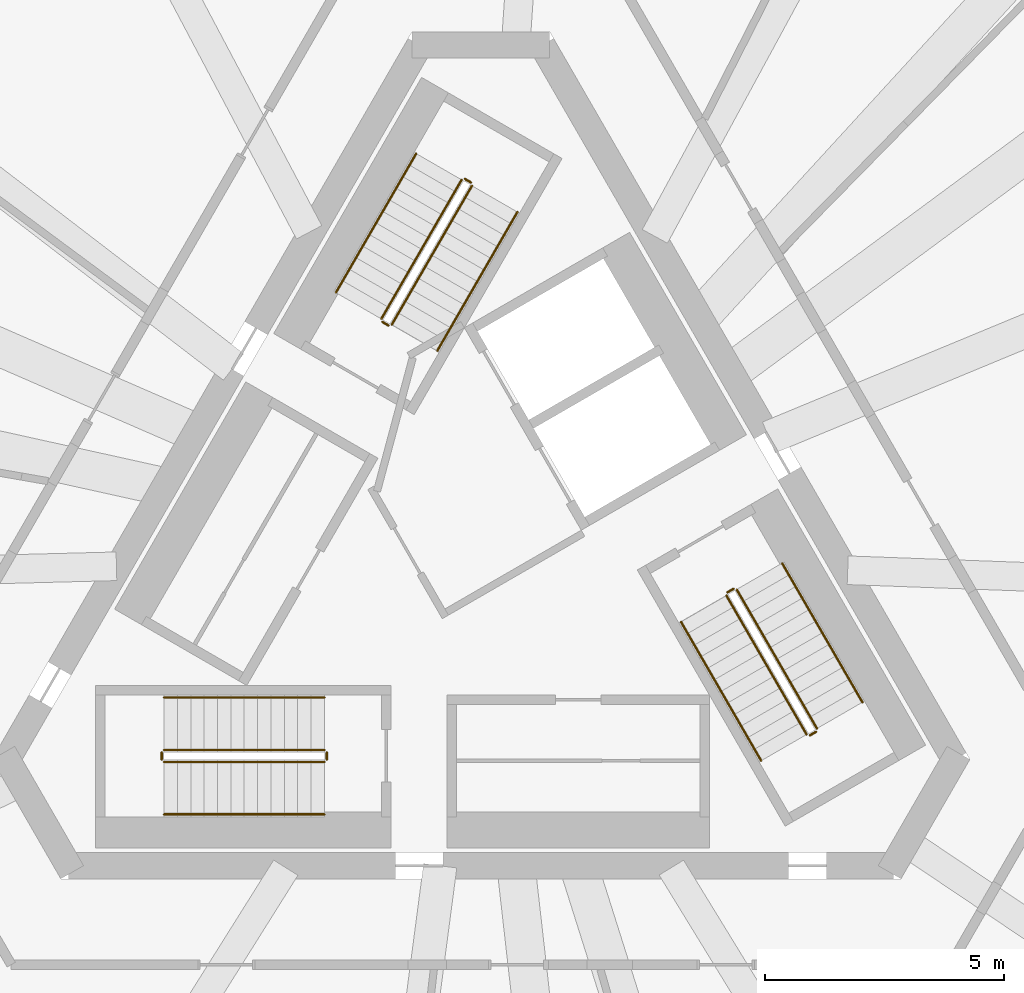
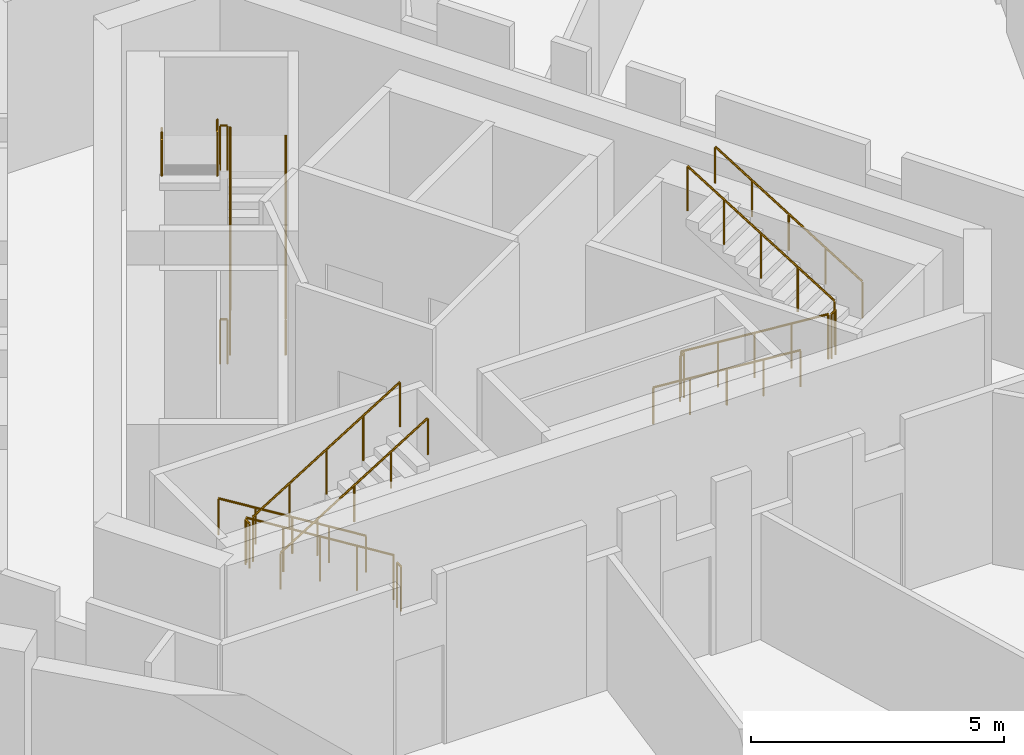
# One storey, part 5 of 5: 18 railings.
"""IFC4 building model written with IfcOpenShell, lengths in metres."""

from ifc_helpers import new_model, si_unit, direction, frame, origin, origin_2d, place, context, subcontext, project, spatial, circle, extrude, material, type_object, element, save


model = new_model("IFC4")

# Units and contexts
model_context = context("Model", 3, precision=1e-05, world=origin(), true_north=direction((0.0, 1.0)))
body_context = subcontext(model_context, "Body", "Model", "MODEL_VIEW")
ifc_project = project(units=[si_unit("LENGTHUNIT", "METRE"), si_unit("AREAUNIT", "SQUARE_METRE"), si_unit("VOLUMEUNIT", "CUBIC_METRE"), si_unit("PLANEANGLEUNIT", "RADIAN"), si_unit("MASSUNIT", "GRAM", prefix="KILO")], contexts=[model_context])

# Site, building, storey
site_placement = place(None, origin())
site = spatial("IfcSite", under=ifc_project, at=site_placement, CompositionType="ELEMENT")
building_placement = place(site_placement, origin())
building = spatial("IfcBuilding", under=site, at=building_placement, Name="Tramontana Tower", CompositionType="ELEMENT")
storey_placement = place(building_placement, frame((0.0, 0.0, 370.39990234375)))
storey = spatial("IfcBuildingStorey", under=building, at=storey_placement, Name="L85", CompositionType="ELEMENT", Elevation=370.39990234375)

# Railings
ifc_material_1 = material(Name="Painted steel", Category="steel")
railing_type_1 = type_object("IfcRailingType", Name="STAIR GUARD 1100", PredefinedType="GUARDRAIL", material=ifc_material_1)
railing_1_placement = place(storey_placement, frame((-1.867431640625, 4.865478515625, 0.173095703125)))
element("IfcRailing", 1, at=railing_1_placement, inside=storey, type_object=railing_type_1, Name="L85 ST1 stair guard 1", PredefinedType="GUARDRAIL", context=body_context, shape_type="SweptSolid", body=[
    extrude(circle(Radius=0.02392578125, at=origin_2d()), frame((0.0, 0.0, 1.076171875), z_axis=(0.425288379326, 0.736667954249, 0.525785240943), x_axis=(-0.866039179741, 0.499976138585, 0.0)), (0.0, 0.0, 1.0), 3.9501953125),
    extrude(circle(Radius=0.02099609375, at=origin_2d()), origin(), (0.0, 0.0, 1.0), 1.052001953125),
    extrude(circle(Radius=0.02099609375, at=origin_2d()), frame((0.419921875, 0.7275390625, 0.519287109375)), (0.0, 0.0, 1.0), 1.052001953125),
    extrude(circle(Radius=0.02099609375, at=origin_2d()), frame((0.83984375, 1.455078125, 1.03857421875)), (0.0, 0.0, 1.0), 1.052001953125),
    extrude(circle(Radius=0.02099609375, at=origin_2d()), frame((1.260009765625, 2.182373046875, 1.5576171875)), (0.0, 0.0, 1.0), 1.052001953125),
    extrude(circle(Radius=0.02099609375, at=origin_2d()), frame((1.679931640625, 2.909912109375, 2.076904296875)), (0.0, 0.0, 1.0), 1.052001953125),
])
railing_2_placement = place(storey_placement, frame((-0.40380859375, 7.900390625, 2.423095703125)))
element("IfcRailing", 2, at=railing_2_placement, inside=storey, type_object=railing_type_1, Name="L85 ST1 stair guard 2", PredefinedType="GUARDRAIL", context=body_context, shape_type="SweptSolid", body=[
    extrude(circle(Radius=0.02392578125, at=origin_2d()), frame((0.0, 0.0, 1.076171875), z_axis=(-0.42533900462, -0.736648589954, 0.52577141998), x_axis=(0.866007717299, -0.500030632641, 0.0)), (0.0, 0.0, 1.0), 3.9501953125),
    extrude(circle(Radius=0.02099609375, at=origin_2d()), origin(), (0.0, 0.0, 1.0), 1.052001953125),
    extrude(circle(Radius=0.02099609375, at=origin_2d()), frame((-0.419921875, -0.7275390625, 0.519287109375)), (0.0, 0.0, 1.0), 1.052001953125),
    extrude(circle(Radius=0.02099609375, at=origin_2d()), frame((-0.840087890625, -1.455078125, 1.03857421875)), (0.0, 0.0, 1.0), 1.052001953125),
    extrude(circle(Radius=0.02099609375, at=origin_2d()), frame((-1.26025390625, -2.182373046875, 1.5576171875)), (0.0, 0.0, 1.0), 1.052001953125),
    extrude(circle(Radius=0.02099609375, at=origin_2d()), frame((-1.68017578125, -2.909912109375, 2.076904296875)), (0.0, 0.0, 1.0), 1.052001953125),
])
railing_3_placement = place(storey_placement, frame((-0.205810546875, 7.84375, 2.25)))
element("IfcRailing", 3, at=railing_3_placement, inside=storey, type_object=railing_type_1, Name="L85 ST1 stair guard 3", PredefinedType="GUARDRAIL", context=body_context, shape_type="SweptSolid", body=[
    extrude(circle(Radius=0.02392578125, at=origin_2d()), frame((0.0, 0.0, 1.076171875), z_axis=(-0.866131372301, 0.499816412211, 0.0), x_axis=(-0.499816412211, -0.866131372301, 0.0)), (0.0, 0.0, 1.0), 0.14990234375),
    extrude(circle(Radius=0.02099609375, at=origin_2d()), origin(), (0.0, 0.0, 1.0), 1.052001953125),
    extrude(circle(Radius=0.02099609375, at=origin_2d()), frame((-0.1298828125, 0.074951171875, 0.0)), (0.0, 0.0, 1.0), 1.052001953125),
])
railing_4_placement = place(storey_placement, frame((-1.935791015625, 4.84716796875, 0.0)))
element("IfcRailing", 4, at=railing_4_placement, inside=storey, type_object=railing_type_1, Name="L85 ST1 stair guard 4", PredefinedType="GUARDRAIL", context=body_context, shape_type="SweptSolid", body=[
    extrude(circle(Radius=0.02392578125, at=origin_2d()), frame((0.0, 0.0, 1.076171875), z_axis=(-0.865426285481, 0.501036270542, 0.0), x_axis=(-0.501036270542, -0.865426285481, 0.0)), (0.0, 0.0, 1.0), 0.150146484375),
    extrude(circle(Radius=0.02099609375, at=origin_2d()), origin(), (0.0, 0.0, 1.0), 1.052001953125),
    extrude(circle(Radius=0.02099609375, at=origin_2d()), frame((-0.1298828125, 0.0751953125, 0.0)), (0.0, 0.0, 1.0), 1.052001953125),
])
railing_5_placement = place(storey_placement, frame((-3.280029296875, -4.050048828125, 0.173095703125)))
element("IfcRailing", 5, at=railing_5_placement, inside=storey, type_object=railing_type_1, Name="L85 ST2 stair guard 1", PredefinedType="GUARDRAIL", context=body_context, shape_type="SweptSolid", body=[
    extrude(circle(Radius=0.02392578125, at=origin_2d()), frame((0.0, 0.0, 1.076171875), z_axis=(-0.850606129759, 0.0, 0.525803396734), x_axis=(0.0, -1.0, 0.0)), (0.0, 0.0, 1.0), 3.949951171875),
    extrude(circle(Radius=0.02099609375, at=origin_2d()), origin(), (0.0, 0.0, 1.0), 1.052001953125),
    extrude(circle(Radius=0.02099609375, at=origin_2d()), frame((-0.83984375, 0.0, 0.519287109375)), (0.0, 0.0, 1.0), 1.052001953125),
    extrude(circle(Radius=0.02099609375, at=origin_2d()), frame((-1.679931640625, 0.0, 1.03857421875)), (0.0, 0.0, 1.0), 1.052001953125),
    extrude(circle(Radius=0.02099609375, at=origin_2d()), frame((-2.52001953125, 0.0, 1.5576171875)), (0.0, 0.0, 1.0), 1.052001953125),
    extrude(circle(Radius=0.02099609375, at=origin_2d()), frame((-3.35986328125, 0.0, 2.076904296875)), (0.0, 0.0, 1.0), 1.052001953125),
])
railing_6_placement = place(storey_placement, frame((-6.639892578125, -4.300048828125, 2.423095703125)))
element("IfcRailing", 6, at=railing_6_placement, inside=storey, type_object=railing_type_1, Name="L85 ST2 stair guard 2", PredefinedType="GUARDRAIL", context=body_context, shape_type="SweptSolid", body=[
    extrude(circle(Radius=0.02392578125, at=origin_2d()), frame((0.0, 0.0, 1.076171875), z_axis=(0.850606129759, 0.0, 0.525803396734), x_axis=(0.0, 1.0, 0.0)), (0.0, 0.0, 1.0), 3.949951171875),
    extrude(circle(Radius=0.02099609375, at=origin_2d()), origin(), (0.0, 0.0, 1.0), 1.052001953125),
    extrude(circle(Radius=0.02099609375, at=origin_2d()), frame((0.83984375, 0.0, 0.519287109375)), (0.0, 0.0, 1.0), 1.052001953125),
    extrude(circle(Radius=0.02099609375, at=origin_2d()), frame((1.679931640625, 0.0, 1.03857421875)), (0.0, 0.0, 1.0), 1.052001953125),
    extrude(circle(Radius=0.02099609375, at=origin_2d()), frame((2.52001953125, 0.0, 1.5576171875)), (0.0, 0.0, 1.0), 1.052001953125),
    extrude(circle(Radius=0.02099609375, at=origin_2d()), frame((3.35986328125, 0.0, 2.076904296875)), (0.0, 0.0, 1.0), 1.052001953125),
])
for number, where, name in (
    (7, (-6.68994140625, -4.10009765625, 2.25), "L85 ST2 stair guard 3"),
    (8, (-3.22998046875, -4.10009765625, 0.0), "L85 ST2 stair guard 4"),
):
    element("IfcRailing", number, at=place(storey_placement, frame(where)), inside=storey, type_object=railing_type_1, Name=name, PredefinedType="GUARDRAIL", context=body_context, shape_type="SweptSolid", body=[
        extrude(circle(Radius=0.02392578125, at=origin_2d()), frame((0.0, 0.0, 1.076171875), z_axis=(0.0, -1.0, 0.0), x_axis=(1.0, 0.0, 0.0)), (0.0, 0.0, 1.0), 0.14990234375),
        extrude(circle(Radius=0.02099609375, at=origin_2d()), origin(), (0.0, 0.0, 1.0), 1.052001953125),
        extrude(circle(Radius=0.02099609375, at=origin_2d()), frame((0.0, -0.14990234375, 0.0)), (0.0, 0.0, 1.0), 1.052001953125),
    ])
railing_7_placement = place(storey_placement, frame((5.1474609375, -0.815673828125, 0.173095703125)))
element("IfcRailing", 9, at=railing_7_placement, inside=storey, type_object=railing_type_1, Name="L85 ST3 stair guard 1", PredefinedType="GUARDRAIL", context=body_context, shape_type="SweptSolid", body=[
    extrude(circle(Radius=0.02392578125, at=origin_2d()), frame((0.0, 0.0, 1.076171875), z_axis=(0.425307743487, -0.736639687092, 0.525809180911), x_axis=(0.866021014662, 0.500007602105, 0.0)), (0.0, 0.0, 1.0), 3.949951171875),
    extrude(circle(Radius=0.02099609375, at=origin_2d()), origin(), (0.0, 0.0, 1.0), 1.052001953125),
    extrude(circle(Radius=0.02099609375, at=origin_2d()), frame((0.419921875, -0.7275390625, 0.519287109375)), (0.0, 0.0, 1.0), 1.052001953125),
    extrude(circle(Radius=0.02099609375, at=origin_2d()), frame((0.83984375, -1.454833984375, 1.03857421875)), (0.0, 0.0, 1.0), 1.052001953125),
    extrude(circle(Radius=0.02099609375, at=origin_2d()), frame((1.260009765625, -2.18212890625, 1.5576171875)), (0.0, 0.0, 1.0), 1.052001953125),
    extrude(circle(Radius=0.02099609375, at=origin_2d()), frame((1.679931640625, -2.90966796875, 2.076904296875)), (0.0, 0.0, 1.0), 1.052001953125),
])
railing_8_placement = place(storey_placement, frame((7.0439453125, -3.600341796875, 2.423095703125)))
element("IfcRailing", 10, at=railing_8_placement, inside=storey, type_object=railing_type_1, Name="L85 ST3 stair guard 2", PredefinedType="GUARDRAIL", context=body_context, shape_type="SweptSolid", body=[
    extrude(circle(Radius=0.02392578125, at=origin_2d()), frame((0.0, 0.0, 1.076171875), z_axis=(-0.425307743487, 0.736639687092, 0.525809180911), x_axis=(-0.866021014662, -0.500007602105, 0.0)), (0.0, 0.0, 1.0), 3.949951171875),
    extrude(circle(Radius=0.02099609375, at=origin_2d()), origin(), (0.0, 0.0, 1.0), 1.052001953125),
    extrude(circle(Radius=0.02099609375, at=origin_2d()), frame((-0.419921875, 0.7275390625, 0.519287109375)), (0.0, 0.0, 1.0), 1.052001953125),
    extrude(circle(Radius=0.02099609375, at=origin_2d()), frame((-0.83984375, 1.454833984375, 1.03857421875)), (0.0, 0.0, 1.0), 1.052001953125),
    extrude(circle(Radius=0.02099609375, at=origin_2d()), frame((-1.260009765625, 2.18212890625, 1.5576171875)), (0.0, 0.0, 1.0), 1.052001953125),
    extrude(circle(Radius=0.02099609375, at=origin_2d()), frame((-1.679931640625, 2.90966796875, 2.076904296875)), (0.0, 0.0, 1.0), 1.052001953125),
])
for number, where, name in (
    (11, (6.895751953125, -3.74365234375, 2.25), "L85 ST3 stair guard 3"),
    (12, (5.165771484375, -0.747314453125, 0.0), "L85 ST3 stair guard 4"),
):
    element("IfcRailing", number, at=place(storey_placement, frame(where)), inside=storey, type_object=railing_type_1, Name=name, PredefinedType="GUARDRAIL", context=body_context, shape_type="SweptSolid", body=[
        extrude(circle(Radius=0.02392578125, at=origin_2d()), frame((0.0, 0.0, 1.076171875), z_axis=(0.866131372301, 0.499816412211, 0.0), x_axis=(-0.499816412211, 0.866131372301, 0.0)), (0.0, 0.0, 1.0), 0.14990234375),
        extrude(circle(Radius=0.02099609375, at=origin_2d()), origin(), (0.0, 0.0, 1.0), 1.052001953125),
        extrude(circle(Radius=0.02099609375, at=origin_2d()), frame((0.1298828125, 0.074951171875, 0.0)), (0.0, 0.0, 1.0), 1.052001953125),
    ])
ifc_material_2 = material(Name="Painted steel", Category="steel")
railing_type_2 = type_object("IfcRailingType", Name="STAIR HANDRAIL 900", PredefinedType="HANDRAIL", material=ifc_material_2)
railing_9_placement = place(storey_placement, frame((-0.914794921875, 4.315673828125, 0.173095703125)))
element("IfcRailing", 13, at=railing_9_placement, inside=storey, type_object=railing_type_2, Name="L85 ST1 stair handrail 1", PredefinedType="HANDRAIL", context=body_context, shape_type="SweptSolid", body=[
    extrude(circle(Radius=0.02392578125, at=origin_2d()), frame((0.0, 0.0, 0.8759765625), z_axis=(0.425307743487, 0.736639687092, 0.525809180911), x_axis=(-0.866021014662, 0.500007602105, 0.0)), (0.0, 0.0, 1.0), 3.949951171875),
    extrude(circle(Radius=0.02099609375, at=origin_2d()), origin(), (0.0, 0.0, 1.0), 0.851806640625),
    extrude(circle(Radius=0.02099609375, at=origin_2d()), frame((0.419921875, 0.7275390625, 0.519287109375)), (0.0, 0.0, 1.0), 0.851806640625),
    extrude(circle(Radius=0.02099609375, at=origin_2d()), frame((0.83984375, 1.454833984375, 1.03857421875)), (0.0, 0.0, 1.0), 0.851806640625),
    extrude(circle(Radius=0.02099609375, at=origin_2d()), frame((1.260009765625, 2.18212890625, 1.5576171875)), (0.0, 0.0, 1.0), 0.851806640625),
    extrude(circle(Radius=0.02099609375, at=origin_2d()), frame((1.679931640625, 2.90966796875, 2.076904296875)), (0.0, 0.0, 1.0), 0.851806640625),
])
railing_10_placement = place(storey_placement, frame((-1.3564453125, 8.450439453125, 2.423095703125)))
element("IfcRailing", 14, at=railing_10_placement, inside=storey, type_object=railing_type_2, Name="L85 ST1 stair handrail 2", PredefinedType="HANDRAIL", context=body_context, shape_type="SweptSolid", body=[
    extrude(circle(Radius=0.02392578125, at=origin_2d()), frame((0.0, 0.0, 0.8759765625), z_axis=(-0.42533900462, -0.736648589954, 0.52577141998), x_axis=(0.866007717299, -0.500030632641, 0.0)), (0.0, 0.0, 1.0), 3.9501953125),
    extrude(circle(Radius=0.02099609375, at=origin_2d()), origin(), (0.0, 0.0, 1.0), 0.851806640625),
    extrude(circle(Radius=0.02099609375, at=origin_2d()), frame((-0.419921875, -0.7275390625, 0.519287109375)), (0.0, 0.0, 1.0), 0.851806640625),
    extrude(circle(Radius=0.02099609375, at=origin_2d()), frame((-0.840087890625, -1.455078125, 1.03857421875)), (0.0, 0.0, 1.0), 0.851806640625),
    extrude(circle(Radius=0.02099609375, at=origin_2d()), frame((-1.26025390625, -2.182373046875, 1.5576171875)), (0.0, 0.0, 1.0), 0.851806640625),
    extrude(circle(Radius=0.02099609375, at=origin_2d()), frame((-1.68017578125, -2.909912109375, 2.076904296875)), (0.0, 0.0, 1.0), 0.851806640625),
])
railing_11_placement = place(storey_placement, frame((-3.280029296875, -2.949951171875, 0.173095703125)))
element("IfcRailing", 15, at=railing_11_placement, inside=storey, type_object=railing_type_2, Name="L85 ST2 stair handrail 1", PredefinedType="HANDRAIL", context=body_context, shape_type="SweptSolid", body=[
    extrude(circle(Radius=0.02392578125, at=origin_2d()), frame((0.0, 0.0, 0.8759765625), z_axis=(-0.850606129759, 0.0, 0.525803396734), x_axis=(0.0, -1.0, 0.0)), (0.0, 0.0, 1.0), 3.949951171875),
    extrude(circle(Radius=0.02099609375, at=origin_2d()), origin(), (0.0, 0.0, 1.0), 0.851806640625),
    extrude(circle(Radius=0.02099609375, at=origin_2d()), frame((-0.83984375, 0.0, 0.519287109375)), (0.0, 0.0, 1.0), 0.851806640625),
    extrude(circle(Radius=0.02099609375, at=origin_2d()), frame((-1.679931640625, 0.0, 1.03857421875)), (0.0, 0.0, 1.0), 0.851806640625),
    extrude(circle(Radius=0.02099609375, at=origin_2d()), frame((-2.52001953125, 0.0, 1.5576171875)), (0.0, 0.0, 1.0), 0.851806640625),
    extrude(circle(Radius=0.02099609375, at=origin_2d()), frame((-3.35986328125, 0.0, 2.076904296875)), (0.0, 0.0, 1.0), 0.851806640625),
])
railing_12_placement = place(storey_placement, frame((-6.639892578125, -5.39990234375, 2.423095703125)))
element("IfcRailing", 16, at=railing_12_placement, inside=storey, type_object=railing_type_2, Name="L85 ST2 stair handrail 2", PredefinedType="HANDRAIL", context=body_context, shape_type="SweptSolid", body=[
    extrude(circle(Radius=0.02392578125, at=origin_2d()), frame((0.0, 0.0, 0.8759765625), z_axis=(0.850606129759, 0.0, 0.525803396734), x_axis=(0.0, 1.0, 0.0)), (0.0, 0.0, 1.0), 3.949951171875),
    extrude(circle(Radius=0.02099609375, at=origin_2d()), origin(), (0.0, 0.0, 1.0), 0.851806640625),
    extrude(circle(Radius=0.02099609375, at=origin_2d()), frame((0.83984375, 0.0, 0.519287109375)), (0.0, 0.0, 1.0), 0.851806640625),
    extrude(circle(Radius=0.02099609375, at=origin_2d()), frame((1.679931640625, 0.0, 1.03857421875)), (0.0, 0.0, 1.0), 0.851806640625),
    extrude(circle(Radius=0.02099609375, at=origin_2d()), frame((2.52001953125, 0.0, 1.5576171875)), (0.0, 0.0, 1.0), 0.851806640625),
    extrude(circle(Radius=0.02099609375, at=origin_2d()), frame((3.35986328125, 0.0, 2.076904296875)), (0.0, 0.0, 1.0), 0.851806640625),
])
railing_13_placement = place(storey_placement, frame((4.19482421875, -1.365478515625, 0.173095703125)))
element("IfcRailing", 17, at=railing_13_placement, inside=storey, type_object=railing_type_2, Name="L85 ST3 stair handrail 1", PredefinedType="HANDRAIL", context=body_context, shape_type="SweptSolid", body=[
    extrude(circle(Radius=0.02392578125, at=origin_2d()), frame((0.0, 0.0, 0.8759765625), z_axis=(0.425288379326, -0.736667954249, 0.525785240943), x_axis=(0.866039179741, 0.499976138585, 0.0)), (0.0, 0.0, 1.0), 3.9501953125),
    extrude(circle(Radius=0.02099609375, at=origin_2d()), origin(), (0.0, 0.0, 1.0), 0.851806640625),
    extrude(circle(Radius=0.02099609375, at=origin_2d()), frame((0.419921875, -0.7275390625, 0.519287109375)), (0.0, 0.0, 1.0), 0.851806640625),
    extrude(circle(Radius=0.02099609375, at=origin_2d()), frame((0.83984375, -1.455078125, 1.03857421875)), (0.0, 0.0, 1.0), 0.851806640625),
    extrude(circle(Radius=0.02099609375, at=origin_2d()), frame((1.260009765625, -2.182373046875, 1.5576171875)), (0.0, 0.0, 1.0), 0.851806640625),
    extrude(circle(Radius=0.02099609375, at=origin_2d()), frame((1.679931640625, -2.909912109375, 2.076904296875)), (0.0, 0.0, 1.0), 0.851806640625),
])
railing_14_placement = place(storey_placement, frame((7.99658203125, -3.05029296875, 2.423095703125)))
element("IfcRailing", 18, at=railing_14_placement, inside=storey, type_object=railing_type_2, Name="L85 ST3 stair handrail 2", PredefinedType="HANDRAIL", context=body_context, shape_type="SweptSolid", body=[
    extrude(circle(Radius=0.02392578125, at=origin_2d()), frame((0.0, 0.0, 0.8759765625), z_axis=(-0.425307743487, 0.736639687092, 0.525809180911), x_axis=(-0.866021014662, -0.500007602105, 0.0)), (0.0, 0.0, 1.0), 3.949951171875),
    extrude(circle(Radius=0.02099609375, at=origin_2d()), origin(), (0.0, 0.0, 1.0), 0.851806640625),
    extrude(circle(Radius=0.02099609375, at=origin_2d()), frame((-0.419921875, 0.7275390625, 0.519287109375)), (0.0, 0.0, 1.0), 0.851806640625),
    extrude(circle(Radius=0.02099609375, at=origin_2d()), frame((-0.83984375, 1.454833984375, 1.03857421875)), (0.0, 0.0, 1.0), 0.851806640625),
    extrude(circle(Radius=0.02099609375, at=origin_2d()), frame((-1.260009765625, 2.18212890625, 1.5576171875)), (0.0, 0.0, 1.0), 0.851806640625),
    extrude(circle(Radius=0.02099609375, at=origin_2d()), frame((-1.679931640625, 2.90966796875, 2.076904296875)), (0.0, 0.0, 1.0), 0.851806640625),
])

save(model, "model.ifc")
